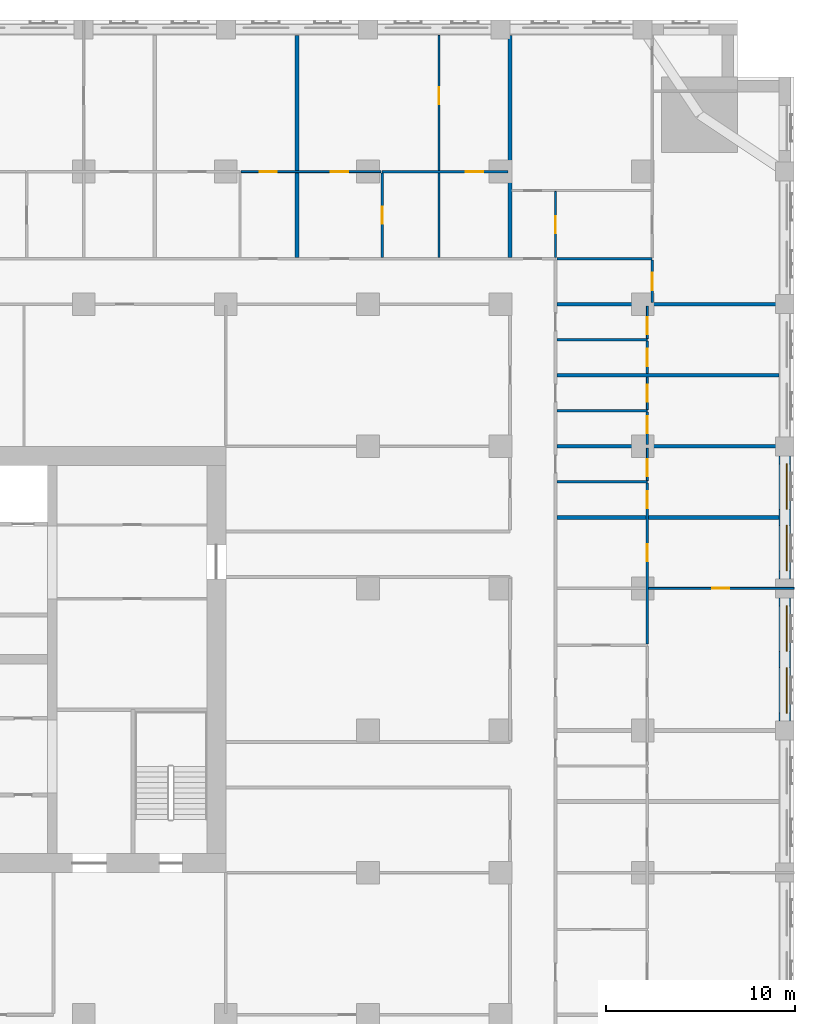
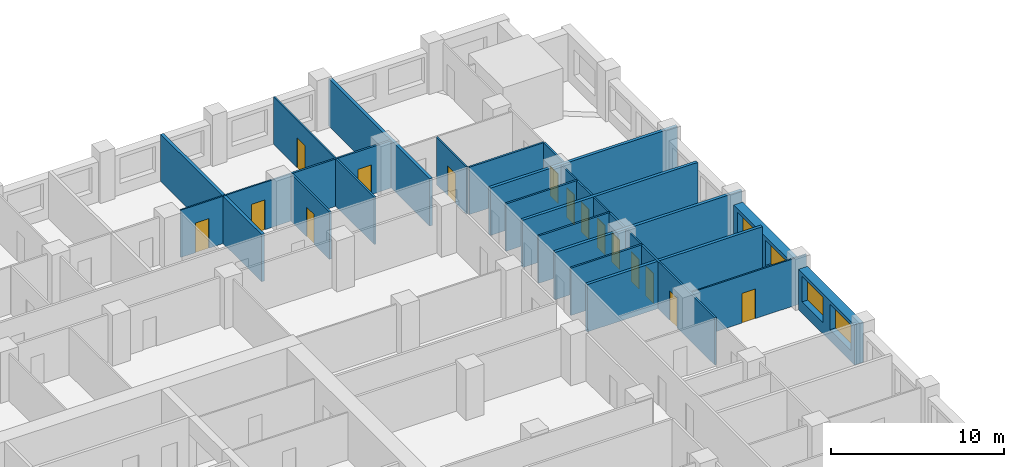
# One storey, part 10 of 14: 26 walls, 15 doors, 4 windows, 19 openings.
"""IFC4 building model written with IfcOpenShell, lengths in metres."""

from ifc_helpers import new_model, si_unit, direction, frame, frame_2d, origin, place, context, subcontext, project, spatial, rectangle, extrude, material, layer, layer_set, type_object, element, fill, save


model = new_model("IFC4")

# Units and contexts
model_context = context("Model", 3, precision=1e-05, world=origin(), true_north=direction((0.0, 1.0)))
body_context = subcontext(model_context, "Body", "Model", "MODEL_VIEW")
ifc_project = project(units=[si_unit("LENGTHUNIT", "METRE"), si_unit("AREAUNIT", "SQUARE_METRE"), si_unit("VOLUMEUNIT", "CUBIC_METRE"), si_unit("PLANEANGLEUNIT", "RADIAN"), si_unit("MASSUNIT", "GRAM", prefix="KILO")], contexts=[model_context])

# Site, building, storey
site_placement = place(None, origin())
site = spatial("IfcSite", under=ifc_project, at=site_placement, CompositionType="ELEMENT")
building_placement = place(site_placement, origin())
building = spatial("IfcBuilding", under=site, at=building_placement, Name="Tamorin Gate", CompositionType="ELEMENT")
storey_placement = place(building_placement, frame((0.0, 0.0, 55.60009765625)))
storey = spatial("IfcBuildingStorey", under=building, at=storey_placement, Name="L12", CompositionType="ELEMENT", Elevation=55.60009765625)

# Wall, openings, windows
ifc_material_1 = material(Name="Precast concrete C40/50", Category="concrete")
ifc_layer_1 = layer(ifc_material_1, 0.60009765625)
ifc_layer_set_1 = layer_set([ifc_layer_1], Name="Precast concrete C40/50")
wall_type_1 = type_object("IfcWallType", Name="Board-marked concrete facade panel 600", PredefinedType="SOLIDWALL", material=ifc_layer_set_1)
wall_1_placement = place(storey_placement, frame((89.5, 68.0, 0.0), z_axis=(0.0, 0.0, 1.0), x_axis=(0.0, 1.0, 0.0)))
wall_1 = element("IfcWall", 1, at=wall_1_placement, inside=storey, type_object=wall_type_1, Name="Facade panel", PredefinedType="SOLIDWALL", context=body_context, shape_type="SweptSolid", body=[
    extrude(rectangle(XDim=6.5, YDim=0.60009765625, at=frame_2d((3.25, 0.0))), origin(), (0.0, 0.0, 1.0), 2.849853515625),
])
opening_1_placement = place(wall_1_placement, frame((0.425048828125, 0.0, 0.800048828125)))
opening_1 = element("IfcOpeningElement", 2, at=opening_1_placement, cuts=wall_1, Name="Opening WN1", PredefinedType="OPENING", context=body_context, shape_type="SweptSolid", body=[
    extrude(rectangle(XDim=2.39990234375, YDim=1.800048828125, at=frame_2d((1.199951171875, 0.89990234375))), frame((0.0, 0.31005859375, 0.0), z_axis=(0.0, -1.0, 0.0), x_axis=(1.0, 0.0, 0.0)), (0.0, 0.0, 1.0), 0.6201171875),
])
opening_2_placement = place(wall_1_placement, frame((3.675048828125, 0.0, 0.800048828125)))
opening_2 = element("IfcOpeningElement", 3, at=opening_2_placement, cuts=wall_1, Name="Opening WN1", PredefinedType="OPENING", context=body_context, shape_type="SweptSolid", body=[
    extrude(rectangle(XDim=2.39990234375, YDim=1.800048828125, at=frame_2d((1.199951171875, 0.89990234375))), frame((0.0, 0.31005859375, 0.0), z_axis=(0.0, -1.0, 0.0), x_axis=(1.0, 0.0, 0.0)), (0.0, 0.0, 1.0), 0.6201171875),
])
ifc_material_2 = material(Name="Clear glass in aluminium frame", Category="aluminium")
window_type = type_object("IfcWindowType", Name="Deep-set window 2400x1800", PartitioningType="SINGLE_PANEL", PredefinedType="WINDOW", material=ifc_material_2)
window_1_placement = place(opening_1_placement, origin())
window_1 = element("IfcWindow", 4, at=window_1_placement, inside=storey, type_object=window_type, Name="Deep-set window", OverallHeight=1.800048828125, OverallWidth=2.39990234375, PartitioningType="SINGLE_PANEL", PredefinedType="WINDOW", context=body_context, shape_type="SweptSolid", body=[
    extrude(rectangle(XDim=2.39990234375, YDim=1.800048828125, at=frame_2d((1.199951171875, 0.89990234375))), frame((0.0, -0.070068359375, 0.0), z_axis=(0.0, -1.0, 0.0), x_axis=(1.0, 0.0, 0.0)), (0.0, 0.0, 1.0), 0.06005859375),
])
fill(opening_1, window_1)
window_2_placement = place(opening_2_placement, origin())
window_2 = element("IfcWindow", 5, at=window_2_placement, inside=storey, type_object=window_type, Name="Deep-set window", OverallHeight=1.800048828125, OverallWidth=2.39990234375, PartitioningType="SINGLE_PANEL", PredefinedType="WINDOW", context=body_context, shape_type="SweptSolid", body=[
    extrude(rectangle(XDim=2.39990234375, YDim=1.800048828125, at=frame_2d((1.199951171875, 0.89990234375))), frame((0.0, -0.070068359375, 0.0), z_axis=(0.0, -1.0, 0.0), x_axis=(1.0, 0.0, 0.0)), (0.0, 0.0, 1.0), 0.06005859375),
])
fill(opening_2, window_2)

wall_2_placement = place(storey_placement, frame((89.5, 75.5, 0.0), z_axis=(0.0, 0.0, 1.0), x_axis=(0.0, 1.0, 0.0)))
wall_2 = element("IfcWall", 6, at=wall_2_placement, inside=storey, type_object=wall_type_1, Name="Facade panel", PredefinedType="SOLIDWALL", context=body_context, shape_type="SweptSolid", body=[
    extrude(rectangle(XDim=6.5, YDim=0.60009765625, at=frame_2d((3.25, 0.0))), origin(), (0.0, 0.0, 1.0), 2.849853515625),
])
opening_3_placement = place(wall_2_placement, frame((0.425048828125, 0.0, 0.800048828125)))
opening_3 = element("IfcOpeningElement", 7, at=opening_3_placement, cuts=wall_2, Name="Opening WN1", PredefinedType="OPENING", context=body_context, shape_type="SweptSolid", body=[
    extrude(rectangle(XDim=2.39990234375, YDim=1.800048828125, at=frame_2d((1.199951171875, 0.89990234375))), frame((0.0, 0.31005859375, 0.0), z_axis=(0.0, -1.0, 0.0), x_axis=(1.0, 0.0, 0.0)), (0.0, 0.0, 1.0), 0.6201171875),
])
opening_4_placement = place(wall_2_placement, frame((3.675048828125, 0.0, 0.800048828125)))
opening_4 = element("IfcOpeningElement", 8, at=opening_4_placement, cuts=wall_2, Name="Opening WN1", PredefinedType="OPENING", context=body_context, shape_type="SweptSolid", body=[
    extrude(rectangle(XDim=2.39990234375, YDim=1.800048828125, at=frame_2d((1.199951171875, 0.89990234375))), frame((0.0, 0.31005859375, 0.0), z_axis=(0.0, -1.0, 0.0), x_axis=(1.0, 0.0, 0.0)), (0.0, 0.0, 1.0), 0.6201171875),
])
window_3_placement = place(opening_3_placement, origin())
window_3 = element("IfcWindow", 9, at=window_3_placement, inside=storey, type_object=window_type, Name="Deep-set window", OverallHeight=1.800048828125, OverallWidth=2.39990234375, PartitioningType="SINGLE_PANEL", PredefinedType="WINDOW", context=body_context, shape_type="SweptSolid", body=[
    extrude(rectangle(XDim=2.39990234375, YDim=1.800048828125, at=frame_2d((1.199951171875, 0.89990234375))), frame((0.0, -0.070068359375, 0.0), z_axis=(0.0, -1.0, 0.0), x_axis=(1.0, 0.0, 0.0)), (0.0, 0.0, 1.0), 0.06005859375),
])
fill(opening_3, window_3)
window_4_placement = place(opening_4_placement, origin())
window_4 = element("IfcWindow", 10, at=window_4_placement, inside=storey, type_object=window_type, Name="Deep-set window", OverallHeight=1.800048828125, OverallWidth=2.39990234375, PartitioningType="SINGLE_PANEL", PredefinedType="WINDOW", context=body_context, shape_type="SweptSolid", body=[
    extrude(rectangle(XDim=2.39990234375, YDim=1.800048828125, at=frame_2d((1.199951171875, 0.89990234375))), frame((0.0, -0.070068359375, 0.0), z_axis=(0.0, -1.0, 0.0), x_axis=(1.0, 0.0, 0.0)), (0.0, 0.0, 1.0), 0.06005859375),
])
fill(opening_4, window_4)

# Walls
ifc_material_3 = material(Name="Gypsum board partition")
ifc_layer_2 = layer(ifc_material_3, 0.199951171875)
ifc_layer_set_2 = layer_set([ifc_layer_2], Name="Demising wall 200")
wall_type_2 = type_object("IfcWallType", Name="Demising wall 200", PredefinedType="PARTITIONING", material=ifc_layer_set_2)
wall_3_placement = place(storey_placement, frame((77.47509765625, 78.75, 0.0), z_axis=(0.0, 0.0, 1.0), x_axis=(1.0, 0.0, 0.0)))
element("IfcWall", 11, at=wall_3_placement, inside=storey, type_object=wall_type_2, Name="Demising wall 200", PredefinedType="PARTITIONING", context=body_context, shape_type="SweptSolid", body=[
    extrude(rectangle(XDim=11.71484375, YDim=0.199951171875, at=frame_2d((5.857421875, 0.0))), origin(), (0.0, 0.0, 1.0), 3.349853515625),
])
wall_4_placement = place(storey_placement, frame((77.47509765625, 82.5, 0.0), z_axis=(0.0, 0.0, 1.0), x_axis=(1.0, 0.0, 0.0)))
element("IfcWall", 12, at=wall_4_placement, inside=storey, type_object=wall_type_2, Name="Demising wall 200", PredefinedType="PARTITIONING", context=body_context, shape_type="SweptSolid", body=[
    extrude(rectangle(XDim=12.52490234375, YDim=0.199951171875, at=frame_2d((6.262451171875, 0.0))), origin(), (0.0, 0.0, 1.0), 3.349853515625),
])
wall_5_placement = place(storey_placement, frame((77.47509765625, 86.25, 0.0), z_axis=(0.0, 0.0, 1.0), x_axis=(1.0, 0.0, 0.0)))
element("IfcWall", 13, at=wall_5_placement, inside=storey, type_object=wall_type_2, Name="Demising wall 200", PredefinedType="PARTITIONING", context=body_context, shape_type="SweptSolid", body=[
    extrude(rectangle(XDim=11.71484375, YDim=0.199951171875, at=frame_2d((5.857421875, 0.0))), origin(), (0.0, 0.0, 1.0), 3.349853515625),
])
wall_6_placement = place(storey_placement, frame((77.47509765625, 90.0, 0.0), z_axis=(0.0, 0.0, 1.0), x_axis=(1.0, 0.0, 0.0)))
element("IfcWall", 14, at=wall_6_placement, inside=storey, type_object=wall_type_2, Name="Demising wall 200", PredefinedType="PARTITIONING", context=body_context, shape_type="SweptSolid", body=[
    extrude(rectangle(XDim=12.52490234375, YDim=0.199951171875, at=frame_2d((6.262451171875, 0.0))), origin(), (0.0, 0.0, 1.0), 3.349853515625),
])
for number, where, z_axis, x_axis, name in (
    (15, (63.75, 92.47509765625, 0.0), (0.0, 0.0, 1.0), (0.0, 1.0, 0.0), "Demising wall 200"),
    (16, (75.0, 92.47509765625, 0.0), (0.0, 0.0, 1.0), (0.0, 1.0, 0.0), "Demising wall 200"),
):
    element("IfcWall", number, at=place(storey_placement, frame(where, z_axis=z_axis, x_axis=x_axis)), inside=storey, type_object=wall_type_2, Name=name, PredefinedType="PARTITIONING", context=body_context, shape_type="SweptSolid", body=[
        extrude(rectangle(XDim=11.71484375, YDim=0.199951171875, at=frame_2d((5.857421875, 0.0))), origin(), (0.0, 0.0, 1.0), 3.349853515625),
    ])

# Wall, opening, door
ifc_layer_3 = layer(ifc_material_3, 0.10009765625)
ifc_layer_set_3 = layer_set([ifc_layer_3], Name="Room partition 100")
wall_type_3 = type_object("IfcWallType", Name="Room partition 100", PredefinedType="PARTITIONING", material=ifc_layer_set_3)
wall_7_placement = place(storey_placement, frame((82.3125, 75.0, 0.0), z_axis=(0.0, 0.0, 1.0), x_axis=(1.0, 0.0, 0.0)))
wall_7 = element("IfcWall", 17, at=wall_7_placement, inside=storey, type_object=wall_type_3, Name="Room partition 100", PredefinedType="PARTITIONING", context=body_context, shape_type="SweptSolid", body=[
    extrude(rectangle(XDim=7.6875, YDim=0.10009765625, at=frame_2d((3.84375, 0.0))), origin(), (0.0, 0.0, 1.0), 3.349853515625),
])
opening_5_placement = place(wall_7_placement, frame((3.362548828125, 0.0, 0.0)))
opening_5 = element("IfcOpeningElement", 18, at=opening_5_placement, cuts=wall_7, Name="Opening DH3051", PredefinedType="OPENING", context=body_context, shape_type="SweptSolid", body=[
    extrude(rectangle(XDim=0.89990234375, YDim=2.10009765625, at=frame_2d((0.449951171875, 1.050048828125))), frame((0.0, 0.06005859375, 0.0), z_axis=(0.0, -1.0, 0.0), x_axis=(1.0, 0.0, 0.0)), (0.0, 0.0, 1.0), 0.1201171875),
])
ifc_material_4 = material(Name="Timber door leaf", Category="wood")
door_type = type_object("IfcDoorType", Name="Door 900 x 2100", OperationType="NOTDEFINED", PredefinedType="DOOR", material=ifc_material_4)
door_1_placement = place(opening_5_placement, origin())
door_1 = element("IfcDoor", 19, at=door_1_placement, inside=storey, type_object=door_type, Name="Door DH3051", OperationType="SINGLE_SWING_RIGHT", OverallHeight=2.10009765625, OverallWidth=0.89990234375, PredefinedType="DOOR", context=body_context, shape_type="SweptSolid", body=[
    extrude(rectangle(XDim=0.89990234375, YDim=2.10009765625, at=frame_2d((0.449951171875, 1.050048828125))), frame((0.0, 0.02490234375, 0.0), z_axis=(0.0, -1.0, 0.0), x_axis=(1.0, 0.0, 0.0)), (0.0, 0.0, 1.0), 0.050048828125),
])
fill(opening_5, door_1)

# Wall, openings, doors
wall_8_placement = place(storey_placement, frame((60.8125, 97.0, 0.0), z_axis=(0.0, 0.0, 1.0), x_axis=(1.0, 0.0, 0.0)))
wall_8 = element("IfcWall", 20, at=wall_8_placement, inside=storey, type_object=wall_type_3, Name="Room partition 100", PredefinedType="PARTITIONING", context=body_context, shape_type="SweptSolid", body=[
    extrude(rectangle(XDim=7.375, YDim=0.10009765625, at=frame_2d((3.6875, 0.0))), origin(), (0.0, 0.0, 1.0), 3.349853515625),
])
opening_6_placement = place(wall_8_placement, frame((0.987548828125, 0.0, 0.0)))
opening_6 = element("IfcOpeningElement", 21, at=opening_6_placement, cuts=wall_8, Name="Opening DH3033", PredefinedType="OPENING", context=body_context, shape_type="SweptSolid", body=[
    extrude(rectangle(XDim=0.89990234375, YDim=2.10009765625, at=frame_2d((0.449951171875, 1.050048828125))), frame((0.0, 0.06005859375, 0.0), z_axis=(0.0, -1.0, 0.0), x_axis=(1.0, 0.0, 0.0)), (0.0, 0.0, 1.0), 0.1201171875),
])
opening_7_placement = place(wall_8_placement, frame((4.737548828125, 0.0, 0.0)))
opening_7 = element("IfcOpeningElement", 22, at=opening_7_placement, cuts=wall_8, Name="Opening DH3035", PredefinedType="OPENING", context=body_context, shape_type="SweptSolid", body=[
    extrude(rectangle(XDim=0.89990234375, YDim=2.10009765625, at=frame_2d((0.449951171875, 1.050048828125))), frame((0.0, 0.06005859375, 0.0), z_axis=(0.0, -1.0, 0.0), x_axis=(1.0, 0.0, 0.0)), (0.0, 0.0, 1.0), 0.1201171875),
])
door_2_placement = place(opening_6_placement, origin())
door_2 = element("IfcDoor", 23, at=door_2_placement, inside=storey, type_object=door_type, Name="Door DH3033", OperationType="SINGLE_SWING_RIGHT", OverallHeight=2.10009765625, OverallWidth=0.89990234375, PredefinedType="DOOR", context=body_context, shape_type="SweptSolid", body=[
    extrude(rectangle(XDim=0.89990234375, YDim=2.10009765625, at=frame_2d((0.449951171875, 1.050048828125))), frame((0.0, 0.02490234375, 0.0), z_axis=(0.0, -1.0, 0.0), x_axis=(1.0, 0.0, 0.0)), (0.0, 0.0, 1.0), 0.050048828125),
])
fill(opening_6, door_2)
door_3_placement = place(opening_7_placement, origin())
door_3 = element("IfcDoor", 24, at=door_3_placement, inside=storey, type_object=door_type, Name="Door DH3035", OperationType="SINGLE_SWING_RIGHT", OverallHeight=2.10009765625, OverallWidth=0.89990234375, PredefinedType="DOOR", context=body_context, shape_type="SweptSolid", body=[
    extrude(rectangle(XDim=0.89990234375, YDim=2.10009765625, at=frame_2d((0.449951171875, 1.050048828125))), frame((0.0, 0.02490234375, 0.0), z_axis=(0.0, -1.0, 0.0), x_axis=(1.0, 0.0, 0.0)), (0.0, 0.0, 1.0), 0.050048828125),
])
fill(opening_7, door_3)

# Wall, opening, door
wall_9_placement = place(storey_placement, frame((71.25, 97.0625, 0.0), z_axis=(0.0, 0.0, 1.0), x_axis=(0.0, 1.0, 0.0)))
wall_9 = element("IfcWall", 25, at=wall_9_placement, inside=storey, type_object=wall_type_3, Name="Room partition 100", PredefinedType="PARTITIONING", context=body_context, shape_type="SweptSolid", body=[
    extrude(rectangle(XDim=7.12744140625, YDim=0.10009765625, at=frame_2d((3.563720703125, 0.0))), origin(), (0.0, 0.0, 1.0), 3.349853515625),
])
opening_8_placement = place(wall_9_placement, frame((3.487548828125, 0.0, 0.0)))
opening_8 = element("IfcOpeningElement", 26, at=opening_8_placement, cuts=wall_9, Name="Opening DH3038", PredefinedType="OPENING", context=body_context, shape_type="SweptSolid", body=[
    extrude(rectangle(XDim=0.89990234375, YDim=2.10009765625, at=frame_2d((0.449951171875, 1.050048828125))), frame((0.0, 0.06005859375, 0.0), z_axis=(0.0, -1.0, 0.0), x_axis=(1.0, 0.0, 0.0)), (0.0, 0.0, 1.0), 0.1201171875),
])
door_4_placement = place(opening_8_placement, origin())
door_4 = element("IfcDoor", 27, at=door_4_placement, inside=storey, type_object=door_type, Name="Door DH3038", OperationType="SINGLE_SWING_LEFT", OverallHeight=2.10009765625, OverallWidth=0.89990234375, PredefinedType="DOOR", context=body_context, shape_type="SweptSolid", body=[
    extrude(rectangle(XDim=0.89990234375, YDim=2.10009765625, at=frame_2d((0.449951171875, 1.050048828125))), frame((0.0, 0.02490234375, 0.0), z_axis=(0.0, -1.0, 0.0), x_axis=(1.0, 0.0, 0.0)), (0.0, 0.0, 1.0), 0.050048828125),
])
fill(opening_8, door_4)

wall_10_placement = place(storey_placement, frame((77.39990234375, 92.47509765625, 0.0), z_axis=(0.0, 0.0, 1.0), x_axis=(0.0, 1.0, 0.0)))
wall_10 = element("IfcWall", 28, at=wall_10_placement, inside=storey, type_object=wall_type_3, Name="Room partition 100", PredefinedType="PARTITIONING", context=body_context, shape_type="SweptSolid", body=[
    extrude(rectangle(XDim=3.474853515625, YDim=0.10009765625, at=frame_2d((1.7373046875, 0.0))), origin(), (0.0, 0.0, 1.0), 3.349853515625),
])
opening_9_placement = place(wall_10_placement, frame((1.27490234375, 0.0, 0.0)))
opening_9 = element("IfcOpeningElement", 29, at=opening_9_placement, cuts=wall_10, Name="Opening DH3069", PredefinedType="OPENING", context=body_context, shape_type="SweptSolid", body=[
    extrude(rectangle(XDim=0.89990234375, YDim=2.10009765625, at=frame_2d((0.449951171875, 1.050048828125))), frame((0.0, 0.06005859375, 0.0), z_axis=(0.0, -1.0, 0.0), x_axis=(1.0, 0.0, 0.0)), (0.0, 0.0, 1.0), 0.1201171875),
])
door_5_placement = place(opening_9_placement, origin())
door_5 = element("IfcDoor", 30, at=door_5_placement, inside=storey, type_object=door_type, Name="Door DH3069", OperationType="SINGLE_SWING_RIGHT", OverallHeight=2.10009765625, OverallWidth=0.89990234375, PredefinedType="DOOR", context=body_context, shape_type="SweptSolid", body=[
    extrude(rectangle(XDim=0.89990234375, YDim=2.10009765625, at=frame_2d((0.449951171875, 1.050048828125))), frame((0.0, 0.02490234375, 0.0), z_axis=(0.0, -1.0, 0.0), x_axis=(1.0, 0.0, 0.0)), (0.0, 0.0, 1.0), 0.050048828125),
])
fill(opening_9, door_5)

wall_11_placement = place(storey_placement, frame((82.25, 80.6875, 0.0), z_axis=(0.0, 0.0, 1.0), x_axis=(0.0, 1.0, 0.0)))
wall_11 = element("IfcWall", 31, at=wall_11_placement, inside=storey, type_object=wall_type_3, Name="Room partition 100", PredefinedType="PARTITIONING", context=body_context, shape_type="SweptSolid", body=[
    extrude(rectangle(XDim=1.71240234375, YDim=0.10009765625, at=frame_2d((0.856201171875, 0.0))), origin(), (0.0, 0.0, 1.0), 3.349853515625),
])
opening_10_placement = place(wall_11_placement, frame((0.22509765625, 0.0, 0.0)))
opening_10 = element("IfcOpeningElement", 32, at=opening_10_placement, cuts=wall_11, Name="Opening DH3054", PredefinedType="OPENING", context=body_context, shape_type="SweptSolid", body=[
    extrude(rectangle(XDim=0.89990234375, YDim=2.10009765625, at=frame_2d((0.449951171875, 1.050048828125))), frame((0.0, 0.06005859375, 0.0), z_axis=(0.0, -1.0, 0.0), x_axis=(1.0, 0.0, 0.0)), (0.0, 0.0, 1.0), 0.1201171875),
])
door_6_placement = place(opening_10_placement, origin())
door_6 = element("IfcDoor", 33, at=door_6_placement, inside=storey, type_object=door_type, Name="Door DH3054", OperationType="SINGLE_SWING_LEFT", OverallHeight=2.10009765625, OverallWidth=0.89990234375, PredefinedType="DOOR", context=body_context, shape_type="SweptSolid", body=[
    extrude(rectangle(XDim=0.89990234375, YDim=2.10009765625, at=frame_2d((0.449951171875, 1.050048828125))), frame((0.0, 0.02490234375, 0.0), z_axis=(0.0, -1.0, 0.0), x_axis=(1.0, 0.0, 0.0)), (0.0, 0.0, 1.0), 0.050048828125),
])
fill(opening_10, door_6)

wall_12_placement = place(storey_placement, frame((82.25, 84.4375, 0.0), z_axis=(0.0, 0.0, 1.0), x_axis=(0.0, 1.0, 0.0)))
wall_12 = element("IfcWall", 34, at=wall_12_placement, inside=storey, type_object=wall_type_3, Name="Room partition 100", PredefinedType="PARTITIONING", context=body_context, shape_type="SweptSolid", body=[
    extrude(rectangle(XDim=1.71240234375, YDim=0.10009765625, at=frame_2d((0.856201171875, 0.0))), origin(), (0.0, 0.0, 1.0), 3.349853515625),
])
opening_11_placement = place(wall_12_placement, frame((0.425048828125, 0.0, 0.0)))
opening_11 = element("IfcOpeningElement", 35, at=opening_11_placement, cuts=wall_12, Name="Opening DH3057", PredefinedType="OPENING", context=body_context, shape_type="SweptSolid", body=[
    extrude(rectangle(XDim=0.89990234375, YDim=2.10009765625, at=frame_2d((0.449951171875, 1.050048828125))), frame((0.0, 0.06005859375, 0.0), z_axis=(0.0, -1.0, 0.0), x_axis=(1.0, 0.0, 0.0)), (0.0, 0.0, 1.0), 0.1201171875),
])
door_7_placement = place(opening_11_placement, origin())
door_7 = element("IfcDoor", 36, at=door_7_placement, inside=storey, type_object=door_type, Name="Door DH3057", OperationType="SINGLE_SWING_LEFT", OverallHeight=2.10009765625, OverallWidth=0.89990234375, PredefinedType="DOOR", context=body_context, shape_type="SweptSolid", body=[
    extrude(rectangle(XDim=0.89990234375, YDim=2.10009765625, at=frame_2d((0.449951171875, 1.050048828125))), frame((0.0, 0.02490234375, 0.0), z_axis=(0.0, -1.0, 0.0), x_axis=(1.0, 0.0, 0.0)), (0.0, 0.0, 1.0), 0.050048828125),
])
fill(opening_11, door_7)

wall_13_placement = place(storey_placement, frame((82.25, 88.1875, 0.0), z_axis=(0.0, 0.0, 1.0), x_axis=(0.0, 1.0, 0.0)))
wall_13 = element("IfcWall", 37, at=wall_13_placement, inside=storey, type_object=wall_type_3, Name="Room partition 100", PredefinedType="PARTITIONING", context=body_context, shape_type="SweptSolid", body=[
    extrude(rectangle(XDim=1.71240234375, YDim=0.10009765625, at=frame_2d((0.856201171875, 0.0))), origin(), (0.0, 0.0, 1.0), 3.349853515625),
])
opening_12_placement = place(wall_13_placement, frame((0.22509765625, 0.0, 0.0)))
opening_12 = element("IfcOpeningElement", 38, at=opening_12_placement, cuts=wall_13, Name="Opening DH3060", PredefinedType="OPENING", context=body_context, shape_type="SweptSolid", body=[
    extrude(rectangle(XDim=0.89990234375, YDim=2.10009765625, at=frame_2d((0.449951171875, 1.050048828125))), frame((0.0, 0.06005859375, 0.0), z_axis=(0.0, -1.0, 0.0), x_axis=(1.0, 0.0, 0.0)), (0.0, 0.0, 1.0), 0.1201171875),
])
door_8_placement = place(opening_12_placement, origin())
door_8 = element("IfcDoor", 39, at=door_8_placement, inside=storey, type_object=door_type, Name="Door DH3060", OperationType="SINGLE_SWING_LEFT", OverallHeight=2.10009765625, OverallWidth=0.89990234375, PredefinedType="DOOR", context=body_context, shape_type="SweptSolid", body=[
    extrude(rectangle(XDim=0.89990234375, YDim=2.10009765625, at=frame_2d((0.449951171875, 1.050048828125))), frame((0.0, 0.02490234375, 0.0), z_axis=(0.0, -1.0, 0.0), x_axis=(1.0, 0.0, 0.0)), (0.0, 0.0, 1.0), 0.050048828125),
])
fill(opening_12, door_8)

# Walls
ifc_layer_4 = layer(ifc_material_3, 0.125)
ifc_layer_set_4 = layer_set([ifc_layer_4], Name="Wet wall 125")
wall_type_4 = type_object("IfcWallType", Name="Wet wall 125", PredefinedType="PARTITIONING", material=ifc_layer_set_4)
for number, where, z_axis, x_axis, name in (
    (40, (77.47509765625, 80.625, 0.0), (0.0, 0.0, 1.0), (1.0, 0.0, 0.0), "Wet wall 125"),
    (41, (77.47509765625, 84.375, 0.0), (0.0, 0.0, 1.0), (1.0, 0.0, 0.0), "Wet wall 125"),
    (42, (77.47509765625, 88.125, 0.0), (0.0, 0.0, 1.0), (1.0, 0.0, 0.0), "Wet wall 125"),
):
    element("IfcWall", number, at=place(storey_placement, frame(where, z_axis=z_axis, x_axis=x_axis)), inside=storey, type_object=wall_type_4, Name=name, PredefinedType="PARTITIONING", context=body_context, shape_type="SweptSolid", body=[
        extrude(rectangle(XDim=4.77490234375, YDim=0.125, at=frame_2d((2.387451171875, 0.0))), origin(), (0.0, 0.0, 1.0), 3.349853515625),
    ])
wall_14_placement = place(storey_placement, frame((77.47509765625, 92.39990234375, 0.0), z_axis=(0.0, 0.0, 1.0), x_axis=(1.0, 0.0, 0.0)))
element("IfcWall", 43, at=wall_14_placement, inside=storey, type_object=wall_type_4, Name="Wet wall 125", PredefinedType="PARTITIONING", context=body_context, shape_type="SweptSolid", body=[
    extrude(rectangle(XDim=5.02490234375, YDim=0.125, at=frame_2d((2.512451171875, 0.0))), origin(), (0.0, 0.0, 1.0), 3.349853515625),
])

# Wall, opening, door
wall_15_placement = place(storey_placement, frame((68.25, 97.0, 0.0), z_axis=(0.0, 0.0, 1.0), x_axis=(1.0, 0.0, 0.0)))
wall_15 = element("IfcWall", 44, at=wall_15_placement, inside=storey, type_object=wall_type_4, Name="Wet wall 125", PredefinedType="PARTITIONING", context=body_context, shape_type="SweptSolid", body=[
    extrude(rectangle(XDim=6.64990234375, YDim=0.125, at=frame_2d((3.324951171875, 0.0))), origin(), (0.0, 0.0, 1.0), 3.349853515625),
])
opening_13_placement = place(wall_15_placement, frame((4.425048828125, 0.0, 0.0)))
opening_13 = element("IfcOpeningElement", 45, at=opening_13_placement, cuts=wall_15, Name="Opening DH3037", PredefinedType="OPENING", context=body_context, shape_type="SweptSolid", body=[
    extrude(rectangle(XDim=0.89990234375, YDim=2.10009765625, at=frame_2d((0.449951171875, 1.050048828125))), frame((0.0, 0.072509765625, 0.0), z_axis=(0.0, -1.0, 0.0), x_axis=(1.0, 0.0, 0.0)), (0.0, 0.0, 1.0), 0.14501953125),
])
door_9_placement = place(opening_13_placement, origin())
door_9 = element("IfcDoor", 46, at=door_9_placement, inside=storey, type_object=door_type, Name="Door DH3037", OperationType="SINGLE_SWING_RIGHT", OverallHeight=2.10009765625, OverallWidth=0.89990234375, PredefinedType="DOOR", context=body_context, shape_type="SweptSolid", body=[
    extrude(rectangle(XDim=0.89990234375, YDim=2.10009765625, at=frame_2d((0.449951171875, 1.050048828125))), frame((0.0, 0.02490234375, 0.0), z_axis=(0.0, -1.0, 0.0), x_axis=(1.0, 0.0, 0.0)), (0.0, 0.0, 1.0), 0.050048828125),
])
fill(opening_13, door_9)

wall_16_placement = place(storey_placement, frame((68.25, 92.47509765625, 0.0), z_axis=(0.0, 0.0, 1.0), x_axis=(0.0, 1.0, 0.0)))
wall_16 = element("IfcWall", 47, at=wall_16_placement, inside=storey, type_object=wall_type_4, Name="Wet wall 125", PredefinedType="PARTITIONING", context=body_context, shape_type="SweptSolid", body=[
    extrude(rectangle(XDim=4.46240234375, YDim=0.125, at=frame_2d((2.231201171875, 0.0))), origin(), (0.0, 0.0, 1.0), 3.349853515625),
])
opening_14_placement = place(wall_16_placement, frame((1.77490234375, 0.0, 0.0)))
opening_14 = element("IfcOpeningElement", 48, at=opening_14_placement, cuts=wall_16, Name="Opening DH3036", PredefinedType="OPENING", context=body_context, shape_type="SweptSolid", body=[
    extrude(rectangle(XDim=0.89990234375, YDim=2.10009765625, at=frame_2d((0.449951171875, 1.050048828125))), frame((0.0, 0.072509765625, 0.0), z_axis=(0.0, -1.0, 0.0), x_axis=(1.0, 0.0, 0.0)), (0.0, 0.0, 1.0), 0.14501953125),
])
door_10_placement = place(opening_14_placement, origin())
door_10 = element("IfcDoor", 49, at=door_10_placement, inside=storey, type_object=door_type, Name="Door DH3036", OperationType="SINGLE_SWING_LEFT", OverallHeight=2.10009765625, OverallWidth=0.89990234375, PredefinedType="DOOR", context=body_context, shape_type="SweptSolid", body=[
    extrude(rectangle(XDim=0.89990234375, YDim=2.10009765625, at=frame_2d((0.449951171875, 1.050048828125))), frame((0.0, 0.02490234375, 0.0), z_axis=(0.0, -1.0, 0.0), x_axis=(1.0, 0.0, 0.0)), (0.0, 0.0, 1.0), 0.050048828125),
])
fill(opening_14, door_10)

# Wall
wall_17_placement = place(storey_placement, frame((71.25, 92.47509765625, 0.0), z_axis=(0.0, 0.0, 1.0), x_axis=(0.0, 1.0, 0.0)))
element("IfcWall", 50, at=wall_17_placement, inside=storey, type_object=wall_type_4, Name="Wet wall 125", PredefinedType="PARTITIONING", context=body_context, shape_type="SweptSolid", body=[
    extrude(rectangle(XDim=4.46240234375, YDim=0.125, at=frame_2d((2.231201171875, 0.0))), origin(), (0.0, 0.0, 1.0), 3.349853515625),
])

# Wall, openings, doors
wall_18_placement = place(storey_placement, frame((82.25, 72.0625, 0.0), z_axis=(0.0, 0.0, 1.0), x_axis=(0.0, 1.0, 0.0)))
wall_18 = element("IfcWall", 51, at=wall_18_placement, inside=storey, type_object=wall_type_4, Name="Wet wall 125", PredefinedType="PARTITIONING", context=body_context, shape_type="SweptSolid", body=[
    extrude(rectangle(XDim=8.5, YDim=0.125, at=frame_2d((4.25, 0.0))), origin(), (0.0, 0.0, 1.0), 3.349853515625),
])
opening_15_placement = place(wall_18_placement, frame((4.362548828125, 0.0, 0.0)))
opening_15 = element("IfcOpeningElement", 52, at=opening_15_placement, cuts=wall_18, Name="Opening DH3050", PredefinedType="OPENING", context=body_context, shape_type="SweptSolid", body=[
    extrude(rectangle(XDim=0.89990234375, YDim=2.10009765625, at=frame_2d((0.449951171875, 1.050048828125))), frame((0.0, 0.072509765625, 0.0), z_axis=(0.0, -1.0, 0.0), x_axis=(1.0, 0.0, 0.0)), (0.0, 0.0, 1.0), 0.14501953125),
])
opening_16_placement = place(wall_18_placement, frame((7.175048828125, 0.0, 0.0)))
opening_16 = element("IfcOpeningElement", 53, at=opening_16_placement, cuts=wall_18, Name="Opening DH3052", PredefinedType="OPENING", context=body_context, shape_type="SweptSolid", body=[
    extrude(rectangle(XDim=0.89990234375, YDim=2.10009765625, at=frame_2d((0.449951171875, 1.050048828125))), frame((0.0, 0.072509765625, 0.0), z_axis=(0.0, -1.0, 0.0), x_axis=(1.0, 0.0, 0.0)), (0.0, 0.0, 1.0), 0.14501953125),
])
door_11_placement = place(opening_15_placement, origin())
door_11 = element("IfcDoor", 54, at=door_11_placement, inside=storey, type_object=door_type, Name="Door DH3050", OperationType="SINGLE_SWING_LEFT", OverallHeight=2.10009765625, OverallWidth=0.89990234375, PredefinedType="DOOR", context=body_context, shape_type="SweptSolid", body=[
    extrude(rectangle(XDim=0.89990234375, YDim=2.10009765625, at=frame_2d((0.449951171875, 1.050048828125))), frame((0.0, 0.02490234375, 0.0), z_axis=(0.0, -1.0, 0.0), x_axis=(1.0, 0.0, 0.0)), (0.0, 0.0, 1.0), 0.050048828125),
])
fill(opening_15, door_11)
door_12_placement = place(opening_16_placement, origin())
door_12 = element("IfcDoor", 55, at=door_12_placement, inside=storey, type_object=door_type, Name="Door DH3052", OperationType="SINGLE_SWING_LEFT", OverallHeight=2.10009765625, OverallWidth=0.89990234375, PredefinedType="DOOR", context=body_context, shape_type="SweptSolid", body=[
    extrude(rectangle(XDim=0.89990234375, YDim=2.10009765625, at=frame_2d((0.449951171875, 1.050048828125))), frame((0.0, 0.02490234375, 0.0), z_axis=(0.0, -1.0, 0.0), x_axis=(1.0, 0.0, 0.0)), (0.0, 0.0, 1.0), 0.050048828125),
])
fill(opening_16, door_12)

# Wall, opening, door
wall_19_placement = place(storey_placement, frame((82.25, 82.60009765625, 0.0), z_axis=(0.0, 0.0, 1.0), x_axis=(0.0, 1.0, 0.0)))
wall_19 = element("IfcWall", 56, at=wall_19_placement, inside=storey, type_object=wall_type_4, Name="Wet wall 125", PredefinedType="PARTITIONING", context=body_context, shape_type="SweptSolid", body=[
    extrude(rectangle(XDim=1.71240234375, YDim=0.125, at=frame_2d((0.856201171875, 0.0))), origin(), (0.0, 0.0, 1.0), 3.349853515625),
])
opening_17_placement = place(wall_19_placement, frame((0.58740234375, 0.0, 0.0)))
opening_17 = element("IfcOpeningElement", 57, at=opening_17_placement, cuts=wall_19, Name="Opening DH3055", PredefinedType="OPENING", context=body_context, shape_type="SweptSolid", body=[
    extrude(rectangle(XDim=0.89990234375, YDim=2.10009765625, at=frame_2d((0.449951171875, 1.050048828125))), frame((0.0, 0.072509765625, 0.0), z_axis=(0.0, -1.0, 0.0), x_axis=(1.0, 0.0, 0.0)), (0.0, 0.0, 1.0), 0.14501953125),
])
door_13_placement = place(opening_17_placement, origin())
door_13 = element("IfcDoor", 58, at=door_13_placement, inside=storey, type_object=door_type, Name="Door DH3055", OperationType="SINGLE_SWING_RIGHT", OverallHeight=2.10009765625, OverallWidth=0.89990234375, PredefinedType="DOOR", context=body_context, shape_type="SweptSolid", body=[
    extrude(rectangle(XDim=0.89990234375, YDim=2.10009765625, at=frame_2d((0.449951171875, 1.050048828125))), frame((0.0, 0.02490234375, 0.0), z_axis=(0.0, -1.0, 0.0), x_axis=(1.0, 0.0, 0.0)), (0.0, 0.0, 1.0), 0.050048828125),
])
fill(opening_17, door_13)

wall_20_placement = place(storey_placement, frame((82.25, 86.35009765625, 0.0), z_axis=(0.0, 0.0, 1.0), x_axis=(0.0, 1.0, 0.0)))
wall_20 = element("IfcWall", 59, at=wall_20_placement, inside=storey, type_object=wall_type_4, Name="Wet wall 125", PredefinedType="PARTITIONING", context=body_context, shape_type="SweptSolid", body=[
    extrude(rectangle(XDim=1.71240234375, YDim=0.125, at=frame_2d((0.856201171875, 0.0))), origin(), (0.0, 0.0, 1.0), 3.349853515625),
])
opening_18_placement = place(wall_20_placement, frame((0.387451171875, 0.0, 0.0)))
opening_18 = element("IfcOpeningElement", 60, at=opening_18_placement, cuts=wall_20, Name="Opening DH3058", PredefinedType="OPENING", context=body_context, shape_type="SweptSolid", body=[
    extrude(rectangle(XDim=0.89990234375, YDim=2.10009765625, at=frame_2d((0.449951171875, 1.050048828125))), frame((0.0, 0.072509765625, 0.0), z_axis=(0.0, -1.0, 0.0), x_axis=(1.0, 0.0, 0.0)), (0.0, 0.0, 1.0), 0.14501953125),
])
door_14_placement = place(opening_18_placement, origin())
door_14 = element("IfcDoor", 61, at=door_14_placement, inside=storey, type_object=door_type, Name="Door DH3058", OperationType="SINGLE_SWING_LEFT", OverallHeight=2.10009765625, OverallWidth=0.89990234375, PredefinedType="DOOR", context=body_context, shape_type="SweptSolid", body=[
    extrude(rectangle(XDim=0.89990234375, YDim=2.10009765625, at=frame_2d((0.449951171875, 1.050048828125))), frame((0.0, 0.02490234375, 0.0), z_axis=(0.0, -1.0, 0.0), x_axis=(1.0, 0.0, 0.0)), (0.0, 0.0, 1.0), 0.050048828125),
])
fill(opening_18, door_14)

wall_21_placement = place(storey_placement, frame((82.5, 90.10009765625, 0.0), z_axis=(0.0, 0.0, 1.0), x_axis=(0.0, 1.0, 0.0)))
wall_21 = element("IfcWall", 62, at=wall_21_placement, inside=storey, type_object=wall_type_4, Name="Wet wall 125", PredefinedType="PARTITIONING", context=body_context, shape_type="SweptSolid", body=[
    extrude(rectangle(XDim=2.2373046875, YDim=0.125, at=frame_2d((1.11865234375, 0.0))), origin(), (0.0, 0.0, 1.0), 3.349853515625),
])
opening_19_placement = place(wall_21_placement, frame((0.64990234375, 0.0, 0.0)))
opening_19 = element("IfcOpeningElement", 63, at=opening_19_placement, cuts=wall_21, Name="Opening DH3072", PredefinedType="OPENING", context=body_context, shape_type="SweptSolid", body=[
    extrude(rectangle(XDim=0.89990234375, YDim=2.10009765625, at=frame_2d((0.449951171875, 1.050048828125))), frame((0.0, 0.072509765625, 0.0), z_axis=(0.0, -1.0, 0.0), x_axis=(1.0, 0.0, 0.0)), (0.0, 0.0, 1.0), 0.14501953125),
])
door_15_placement = place(opening_19_placement, origin())
door_15 = element("IfcDoor", 64, at=door_15_placement, inside=storey, type_object=door_type, Name="Door DH3072", OperationType="SINGLE_SWING_LEFT", OverallHeight=2.10009765625, OverallWidth=0.89990234375, PredefinedType="DOOR", context=body_context, shape_type="SweptSolid", body=[
    extrude(rectangle(XDim=0.89990234375, YDim=2.10009765625, at=frame_2d((0.449951171875, 1.050048828125))), frame((0.0, 0.02490234375, 0.0), z_axis=(0.0, -1.0, 0.0), x_axis=(1.0, 0.0, 0.0)), (0.0, 0.0, 1.0), 0.050048828125),
])
fill(opening_19, door_15)

save(model, "model.ifc")
